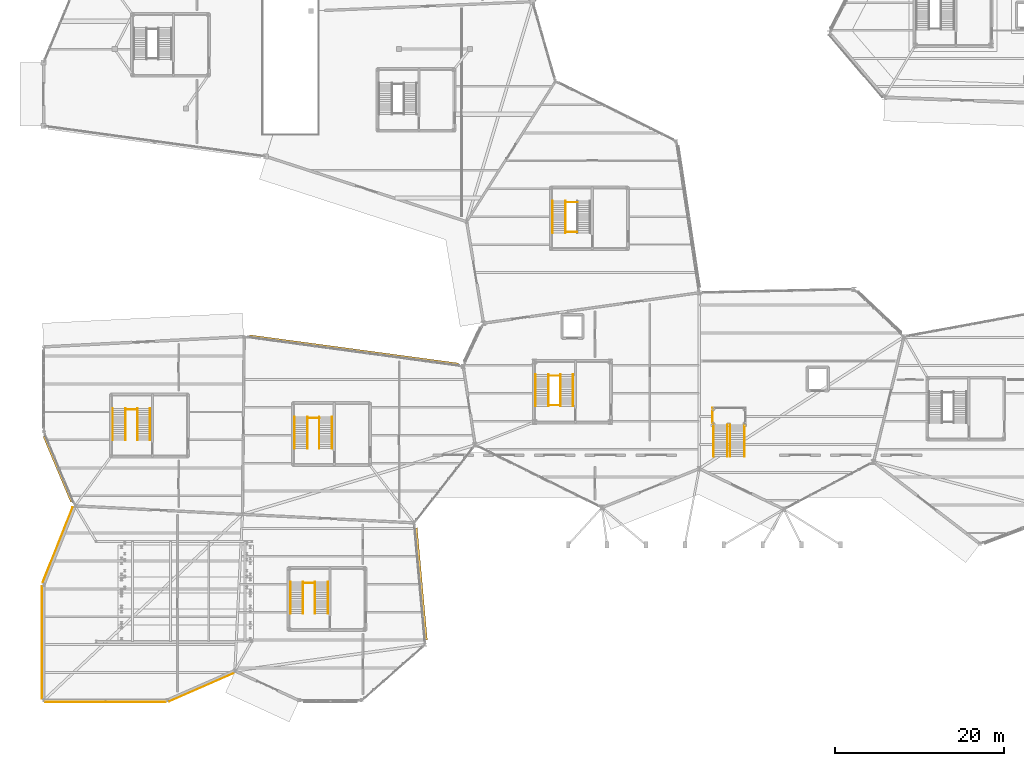
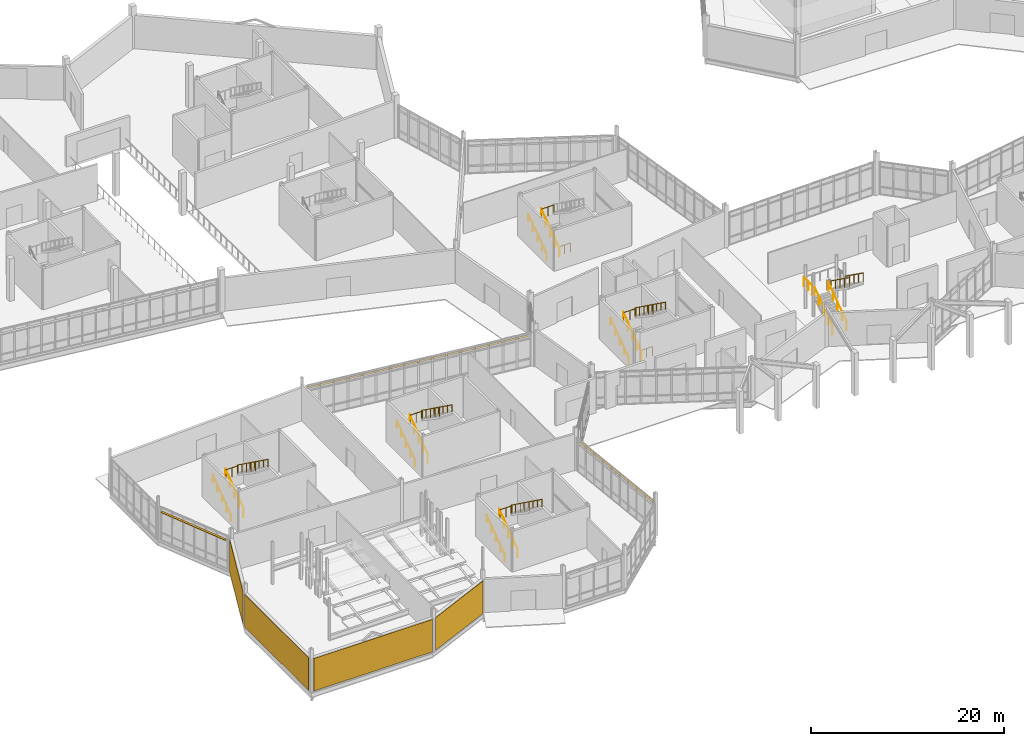
# One storey, part 109 of 113: 30 railings, 4 coverings, 3 shading devices.
"""IFC4 building model written with IfcOpenShell, lengths in metres."""

from ifc_helpers import new_model, si_unit, direction, frame, frame_2d, origin, origin_2d, place, context, subcontext, project, spatial, rectangle, circle, extrude, material, layer, layer_set, type_object, element, save


model = new_model("IFC4")

# Units and contexts
model_context = context("Model", 3, precision=1e-05, world=origin(), true_north=direction((0.0, 1.0)))
body_context = subcontext(model_context, "Body", "Model", "MODEL_VIEW")
ifc_project = project(units=[si_unit("LENGTHUNIT", "METRE"), si_unit("AREAUNIT", "SQUARE_METRE"), si_unit("VOLUMEUNIT", "CUBIC_METRE"), si_unit("PLANEANGLEUNIT", "RADIAN"), si_unit("MASSUNIT", "GRAM", prefix="KILO")], contexts=[model_context])

# Site, building, storey
site_placement = place(None, origin())
site = spatial("IfcSite", under=ifc_project, at=site_placement, CompositionType="ELEMENT")
building_placement = place(site_placement, origin())
building = spatial("IfcBuilding", under=site, at=building_placement, Name="Tameran Prism Museum", CompositionType="ELEMENT")
storey_placement = place(building_placement, origin())
storey = spatial("IfcBuildingStorey", under=building, at=storey_placement, Name="L00", CompositionType="ELEMENT", Elevation=0.0)

# Coverings
ifc_material_1 = material(Name="White Fluted Mineral Precast GRC", Category="concrete")
ifc_layer_1 = layer(ifc_material_1, 0.044921875)
ifc_layer_set_1 = layer_set([ifc_layer_1])
covering_type = type_object("IfcCoveringType", Name="CV-FLUTE-WHT", PredefinedType="CLADDING", material=ifc_layer_set_1)
covering_1_placement = place(storey_placement, frame((-0.118896484375, 13.94091796875, 0.050048828125), z_axis=(0.0, 0.0, 1.0), x_axis=(0.369669339646, 0.929163376014, 0.0)))
element("IfcCovering", 1, at=covering_1_placement, inside=storey, type_object=covering_type, Name="Vertical Fluted White Precast Panel CL-0004", PredefinedType="CLADDING", context=body_context, shape_type="SweptSolid", body=[
    extrude(rectangle(XDim=9.58935546875, YDim=0.044921875, at=frame_2d((4.794677734375, 0.0))), origin(), (0.0, 0.0, 1.0), 4.119873046875),
])
covering_2_placement = place(storey_placement, frame((-0.199951171875, 0.179931640625, 0.050048828125), z_axis=(0.0, 0.0, 1.0), x_axis=(0.0, 1.0, 0.0)))
element("IfcCovering", 2, at=covering_2_placement, inside=storey, type_object=covering_type, Name="Vertical Fluted White Precast Panel CL-0005", PredefinedType="CLADDING", context=body_context, shape_type="SweptSolid", body=[
    extrude(rectangle(XDim=13.340087890625, YDim=0.044921875, at=frame_2d((6.669921875, 0.0))), origin(), (0.0, 0.0, 1.0), 4.119873046875),
])
covering_3_placement = place(storey_placement, frame((14.419921875, -0.199951171875, 0.050048828125), z_axis=(0.0, 0.0, 1.0), x_axis=(-1.0, 0.0, 0.0)))
element("IfcCovering", 3, at=covering_3_placement, inside=storey, type_object=covering_type, Name="Vertical Fluted White Precast Panel CL-0006", PredefinedType="CLADDING", context=body_context, shape_type="SweptSolid", body=[
    extrude(rectangle(XDim=14.239990234375, YDim=0.044921875, at=frame_2d((7.1201171875, 0.0))), origin(), (0.0, 0.0, 1.0), 4.119873046875),
])
covering_4_placement = place(storey_placement, frame((22.4599609375, 3.220947265625, 0.050048828125), z_axis=(0.0, 0.0, 1.0), x_axis=(-0.916136436329, -0.400866598795, 0.0)))
element("IfcCovering", 4, at=covering_4_placement, inside=storey, type_object=covering_type, Name="Vertical Fluted White Precast Panel CL-0007", PredefinedType="CLADDING", context=body_context, shape_type="SweptSolid", body=[
    extrude(rectangle(XDim=8.31201171875, YDim=0.044921875, at=frame_2d((4.156005859375, 0.0))), origin(), (0.0, 0.0, 1.0), 4.119873046875),
])

# Railings
ifc_material_2 = material(Name="Laminated Glass and Stainless Steel 316", Category="steel")
ifc_layer_2 = layer(ifc_material_2, 0.06494140625)
ifc_layer_set_2 = layer_set([ifc_layer_2])
railing_type_1 = type_object("IfcRailingType", Name="RL-BAL-1150", PredefinedType="BALUSTRADE", material=ifc_layer_set_2)
for number, where, name in (
    (5, (79.159912109375, 28.820068359375, 0.0), "Atrium Stair Guardrail BL-107"),
    (6, (80.840087890625, 28.820068359375, 0.0), "Atrium Stair Guardrail BL-108"),
):
    element("IfcRailing", number, at=place(storey_placement, frame(where)), inside=storey, type_object=railing_type_1, Name=name, PredefinedType="BALUSTRADE", context=body_context, shape_type="SweptSolid", body=[
        extrude(circle(Radius=0.02392578125, at=origin_2d()), frame((0.0, 0.0, 1.1259765625), z_axis=(0.0, 0.813010693788, 0.582248754216), x_axis=(-1.0, 0.0, 0.0)), (0.0, 0.0, 1.0), 4.63720703125),
        extrude(circle(Radius=0.02099609375, at=origin_2d()), origin(), (0.0, 0.0, 1.0), 1.101806640625),
        extrude(circle(Radius=0.02099609375, at=origin_2d()), frame((0.0, 0.9423828125, 0.675048828125)), (0.0, 0.0, 1.0), 1.101806640625),
        extrude(circle(Radius=0.02099609375, at=origin_2d()), frame((0.0, 1.885009765625, 1.35009765625)), (0.0, 0.0, 1.0), 1.101806640625),
        extrude(circle(Radius=0.02099609375, at=origin_2d()), frame((0.0, 2.82763671875, 2.02490234375)), (0.0, 0.0, 1.0), 1.101806640625),
        extrude(circle(Radius=0.02099609375, at=origin_2d()), frame((0.0, 3.77001953125, 2.699951171875)), (0.0, 0.0, 1.0), 1.101806640625),
    ])
for number, where, name in (
    (7, (81.159912109375, 32.590087890625, 2.699951171875), "Atrium Stair Guardrail BL-109"),
    (8, (82.840087890625, 32.590087890625, 2.699951171875), "Atrium Stair Guardrail BL-110"),
):
    element("IfcRailing", number, at=place(storey_placement, frame(where)), inside=storey, type_object=railing_type_1, Name=name, PredefinedType="BALUSTRADE", context=body_context, shape_type="SweptSolid", body=[
        extrude(circle(Radius=0.02392578125, at=origin_2d()), frame((0.0, 0.0, 1.1259765625), z_axis=(0.0, -0.813010693788, 0.582248754216), x_axis=(1.0, 0.0, 0.0)), (0.0, 0.0, 1.0), 4.63720703125),
        extrude(circle(Radius=0.02099609375, at=origin_2d()), origin(), (0.0, 0.0, 1.0), 1.101806640625),
        extrude(circle(Radius=0.02099609375, at=origin_2d()), frame((0.0, -0.9423828125, 0.675048828125)), (0.0, 0.0, 1.0), 1.101806640625),
        extrude(circle(Radius=0.02099609375, at=origin_2d()), frame((0.0, -1.885009765625, 1.35009765625)), (0.0, 0.0, 1.0), 1.101806640625),
        extrude(circle(Radius=0.02099609375, at=origin_2d()), frame((0.0, -2.82763671875, 2.02490234375)), (0.0, 0.0, 1.0), 1.101806640625),
        extrude(circle(Radius=0.02099609375, at=origin_2d()), frame((0.0, -3.77001953125, 2.699951171875)), (0.0, 0.0, 1.0), 1.101806640625),
    ])
railing_1_placement = place(storey_placement, frame((79.06005859375, 32.77001953125, 2.699951171875)))
element("IfcRailing", 9, at=railing_1_placement, inside=storey, type_object=railing_type_1, Name="Atrium Landing Perimeter Guard BL-112", PredefinedType="BALUSTRADE", context=body_context, shape_type="SweptSolid", body=[
    extrude(circle(Radius=0.02392578125, at=origin_2d()), frame((0.0, 0.0, 1.1259765625), z_axis=(0.0, 1.0, 0.0), x_axis=(-1.0, 0.0, 0.0)), (0.0, 0.0, 1.0), 1.820068359375),
    extrude(circle(Radius=0.02099609375, at=origin_2d()), origin(), (0.0, 0.0, 1.0), 1.101806640625),
    extrude(circle(Radius=0.02099609375, at=origin_2d()), frame((0.0, 0.91015625, 0.0)), (0.0, 0.0, 1.0), 1.101806640625),
    extrude(circle(Radius=0.02099609375, at=origin_2d()), frame((0.0, 1.820068359375, 0.0)), (0.0, 0.0, 1.0), 1.101806640625),
])
ifc_material_3 = material(Name="Marine Stainless Steel 316", Category="steel")
ifc_layer_3 = layer(ifc_material_3, 0.054931640625)
ifc_layer_set_3 = layer_set([ifc_layer_3])
railing_type_2 = type_object("IfcRailingType", Name="RL-GR-1120", PredefinedType="GUARDRAIL", material=ifc_layer_set_3)
railing_2_placement = place(storey_placement, frame((59.68994140625, 34.89990234375, 0.0)))
element("IfcRailing", 10, at=railing_2_placement, inside=storey, type_object=railing_type_2, Name="Stair Well Slot Guard GR-S088", PredefinedType="GUARDRAIL", context=body_context, shape_type="SweptSolid", body=[
    extrude(circle(Radius=0.02392578125, at=origin_2d()), frame((0.0, 0.0, 1.1259765625), z_axis=(1.0, 0.0, 0.0), x_axis=(0.0, 1.0, 0.0)), (0.0, 0.0, 1.0), 1.3701171875),
    extrude(circle(Radius=0.02099609375, at=origin_2d()), origin(), (0.0, 0.0, 1.0), 1.101806640625),
    extrude(circle(Radius=0.02099609375, at=origin_2d()), frame((0.68505859375, 0.0, 0.0)), (0.0, 0.0, 1.0), 1.101806640625),
    extrude(circle(Radius=0.02099609375, at=origin_2d()), frame((1.3701171875, 0.0, 0.0)), (0.0, 0.0, 1.0), 1.101806640625),
])
railing_3_placement = place(storey_placement, frame((59.669921875, 34.780029296875, 0.0)))
element("IfcRailing", 11, at=railing_3_placement, inside=storey, type_object=railing_type_2, Name="Stair Well Guardrail GR-S089", PredefinedType="GUARDRAIL", context=body_context, shape_type="SweptSolid", body=[
    extrude(circle(Radius=0.02392578125, at=origin_2d()), frame((0.0, 0.0, 1.1259765625), z_axis=(0.0, 0.811539352079, 0.584297766578), x_axis=(-1.0, 0.0, 0.0)), (0.0, 0.0, 1.0), 4.620849609375),
    extrude(circle(Radius=0.02099609375, at=origin_2d()), origin(), (0.0, 0.0, 1.0), 1.101806640625),
    extrude(circle(Radius=0.02099609375, at=origin_2d()), frame((0.0, 0.9375, 0.675048828125)), (0.0, 0.0, 1.0), 1.101806640625),
    extrude(circle(Radius=0.02099609375, at=origin_2d()), frame((0.0, 1.875, 1.35009765625)), (0.0, 0.0, 1.0), 1.101806640625),
    extrude(circle(Radius=0.02099609375, at=origin_2d()), frame((0.0, 2.8125, 2.02490234375)), (0.0, 0.0, 1.0), 1.101806640625),
    extrude(circle(Radius=0.02099609375, at=origin_2d()), frame((0.0, 3.75, 2.699951171875)), (0.0, 0.0, 1.0), 1.101806640625),
])
railing_4_placement = place(storey_placement, frame((61.080078125, 38.530029296875, 2.699951171875)))
element("IfcRailing", 12, at=railing_4_placement, inside=storey, type_object=railing_type_2, Name="Stair Well Guardrail GR-S090", PredefinedType="GUARDRAIL", context=body_context, shape_type="SweptSolid", body=[
    extrude(circle(Radius=0.02392578125, at=origin_2d()), frame((0.0, 0.0, 1.1259765625), z_axis=(0.0, -0.811539352079, 0.584297766578), x_axis=(1.0, 0.0, 0.0)), (0.0, 0.0, 1.0), 4.620849609375),
    extrude(circle(Radius=0.02099609375, at=origin_2d()), origin(), (0.0, 0.0, 1.0), 1.101806640625),
    extrude(circle(Radius=0.02099609375, at=origin_2d()), frame((0.0, -0.9375, 0.675048828125)), (0.0, 0.0, 1.0), 1.101806640625),
    extrude(circle(Radius=0.02099609375, at=origin_2d()), frame((0.0, -1.875, 1.35009765625)), (0.0, 0.0, 1.0), 1.101806640625),
    extrude(circle(Radius=0.02099609375, at=origin_2d()), frame((0.0, -2.8125, 2.02490234375)), (0.0, 0.0, 1.0), 1.101806640625),
    extrude(circle(Radius=0.02099609375, at=origin_2d()), frame((0.0, -3.75, 2.699951171875)), (0.0, 0.0, 1.0), 1.101806640625),
])
railing_5_placement = place(storey_placement, frame((59.64990234375, 38.389892578125, 2.699951171875)))
element("IfcRailing", 13, at=railing_5_placement, inside=storey, type_object=railing_type_2, Name="Landing Well Guardrail GR-S091", PredefinedType="GUARDRAIL", context=body_context, shape_type="SweptSolid", body=[
    extrude(circle(Radius=0.02392578125, at=origin_2d()), frame((0.0, 0.0, 1.1259765625), z_axis=(1.0, 0.0, 0.0), x_axis=(0.0, 1.0, 0.0)), (0.0, 0.0, 1.0), 1.4501953125),
    extrude(circle(Radius=0.02099609375, at=origin_2d()), origin(), (0.0, 0.0, 1.0), 1.101806640625),
    extrude(circle(Radius=0.02099609375, at=origin_2d()), frame((0.72509765625, 0.0, 0.0)), (0.0, 0.0, 1.0), 1.101806640625),
    extrude(circle(Radius=0.02099609375, at=origin_2d()), frame((1.4501953125, 0.0, 0.0)), (0.0, 0.0, 1.0), 1.101806640625),
])
railing_6_placement = place(storey_placement, frame((61.68994140625, 55.39990234375, 0.0)))
element("IfcRailing", 14, at=railing_6_placement, inside=storey, type_object=railing_type_2, Name="Stair Well Slot Guard GR-S108", PredefinedType="GUARDRAIL", context=body_context, shape_type="SweptSolid", body=[
    extrude(circle(Radius=0.02392578125, at=origin_2d()), frame((0.0, 0.0, 1.1259765625), z_axis=(1.0, 0.0, 0.0), x_axis=(0.0, 1.0, 0.0)), (0.0, 0.0, 1.0), 1.3701171875),
    extrude(circle(Radius=0.02099609375, at=origin_2d()), origin(), (0.0, 0.0, 1.0), 1.101806640625),
    extrude(circle(Radius=0.02099609375, at=origin_2d()), frame((0.68505859375, 0.0, 0.0)), (0.0, 0.0, 1.0), 1.101806640625),
    extrude(circle(Radius=0.02099609375, at=origin_2d()), frame((1.3701171875, 0.0, 0.0)), (0.0, 0.0, 1.0), 1.101806640625),
])
railing_7_placement = place(storey_placement, frame((61.669921875, 55.280029296875, 0.0)))
element("IfcRailing", 15, at=railing_7_placement, inside=storey, type_object=railing_type_2, Name="Stair Well Guardrail GR-S109", PredefinedType="GUARDRAIL", context=body_context, shape_type="SweptSolid", body=[
    extrude(circle(Radius=0.02392578125, at=origin_2d()), frame((0.0, 0.0, 1.1259765625), z_axis=(0.0, 0.811539352079, 0.584297766578), x_axis=(-1.0, 0.0, 0.0)), (0.0, 0.0, 1.0), 4.620849609375),
    extrude(circle(Radius=0.02099609375, at=origin_2d()), origin(), (0.0, 0.0, 1.0), 1.101806640625),
    extrude(circle(Radius=0.02099609375, at=origin_2d()), frame((0.0, 0.9375, 0.675048828125)), (0.0, 0.0, 1.0), 1.101806640625),
    extrude(circle(Radius=0.02099609375, at=origin_2d()), frame((0.0, 1.875, 1.35009765625)), (0.0, 0.0, 1.0), 1.101806640625),
    extrude(circle(Radius=0.02099609375, at=origin_2d()), frame((0.0, 2.8125, 2.02490234375)), (0.0, 0.0, 1.0), 1.101806640625),
    extrude(circle(Radius=0.02099609375, at=origin_2d()), frame((0.0, 3.75, 2.699951171875)), (0.0, 0.0, 1.0), 1.101806640625),
])
railing_8_placement = place(storey_placement, frame((61.64990234375, 58.889892578125, 2.699951171875)))
element("IfcRailing", 16, at=railing_8_placement, inside=storey, type_object=railing_type_2, Name="Landing Well Guardrail GR-S111", PredefinedType="GUARDRAIL", context=body_context, shape_type="SweptSolid", body=[
    extrude(circle(Radius=0.02392578125, at=origin_2d()), frame((0.0, 0.0, 1.1259765625), z_axis=(1.0, 0.0, 0.0), x_axis=(0.0, 1.0, 0.0)), (0.0, 0.0, 1.0), 1.4501953125),
    extrude(circle(Radius=0.02099609375, at=origin_2d()), origin(), (0.0, 0.0, 1.0), 1.101806640625),
    extrude(circle(Radius=0.02099609375, at=origin_2d()), frame((0.72509765625, 0.0, 0.0)), (0.0, 0.0, 1.0), 1.101806640625),
    extrude(circle(Radius=0.02099609375, at=origin_2d()), frame((1.4501953125, 0.0, 0.0)), (0.0, 0.0, 1.0), 1.101806640625),
])
railing_9_placement = place(storey_placement, frame((30.669921875, 10.280029296875, 0.0)))
element("IfcRailing", 17, at=railing_9_placement, inside=storey, type_object=railing_type_2, Name="Stair Well Guardrail GR-S153", PredefinedType="GUARDRAIL", context=body_context, shape_type="SweptSolid", body=[
    extrude(circle(Radius=0.02392578125, at=origin_2d()), frame((0.0, 0.0, 1.1259765625), z_axis=(0.0, 0.811539352079, 0.584297766578), x_axis=(-1.0, 0.0, 0.0)), (0.0, 0.0, 1.0), 4.620849609375),
    extrude(circle(Radius=0.02099609375, at=origin_2d()), origin(), (0.0, 0.0, 1.0), 1.101806640625),
    extrude(circle(Radius=0.02099609375, at=origin_2d()), frame((0.0, 0.9375, 0.675048828125)), (0.0, 0.0, 1.0), 1.101806640625),
    extrude(circle(Radius=0.02099609375, at=origin_2d()), frame((0.0, 1.875, 1.35009765625)), (0.0, 0.0, 1.0), 1.101806640625),
    extrude(circle(Radius=0.02099609375, at=origin_2d()), frame((0.0, 2.8125, 2.02490234375)), (0.0, 0.0, 1.0), 1.101806640625),
    extrude(circle(Radius=0.02099609375, at=origin_2d()), frame((0.0, 3.75, 2.699951171875)), (0.0, 0.0, 1.0), 1.101806640625),
])
railing_10_placement = place(storey_placement, frame((32.080078125, 14.030029296875, 2.699951171875)))
element("IfcRailing", 18, at=railing_10_placement, inside=storey, type_object=railing_type_2, Name="Stair Well Guardrail GR-S154", PredefinedType="GUARDRAIL", context=body_context, shape_type="SweptSolid", body=[
    extrude(circle(Radius=0.02392578125, at=origin_2d()), frame((0.0, 0.0, 1.1259765625), z_axis=(0.0, -0.811539352079, 0.584297766578), x_axis=(1.0, 0.0, 0.0)), (0.0, 0.0, 1.0), 4.620849609375),
    extrude(circle(Radius=0.02099609375, at=origin_2d()), origin(), (0.0, 0.0, 1.0), 1.101806640625),
    extrude(circle(Radius=0.02099609375, at=origin_2d()), frame((0.0, -0.9375, 0.675048828125)), (0.0, 0.0, 1.0), 1.101806640625),
    extrude(circle(Radius=0.02099609375, at=origin_2d()), frame((0.0, -1.875, 1.35009765625)), (0.0, 0.0, 1.0), 1.101806640625),
    extrude(circle(Radius=0.02099609375, at=origin_2d()), frame((0.0, -2.8125, 2.02490234375)), (0.0, 0.0, 1.0), 1.101806640625),
    extrude(circle(Radius=0.02099609375, at=origin_2d()), frame((0.0, -3.75, 2.699951171875)), (0.0, 0.0, 1.0), 1.101806640625),
])
railing_11_placement = place(storey_placement, frame((30.64990234375, 13.889892578125, 2.699951171875)))
element("IfcRailing", 19, at=railing_11_placement, inside=storey, type_object=railing_type_2, Name="Landing Well Guardrail GR-S155", PredefinedType="GUARDRAIL", context=body_context, shape_type="SweptSolid", body=[
    extrude(circle(Radius=0.02392578125, at=origin_2d()), frame((0.0, 0.0, 1.1259765625), z_axis=(1.0, 0.0, 0.0), x_axis=(0.0, 1.0, 0.0)), (0.0, 0.0, 1.0), 1.4501953125),
    extrude(circle(Radius=0.02099609375, at=origin_2d()), origin(), (0.0, 0.0, 1.0), 1.101806640625),
    extrude(circle(Radius=0.02099609375, at=origin_2d()), frame((0.72509765625, 0.0, 0.0)), (0.0, 0.0, 1.0), 1.101806640625),
    extrude(circle(Radius=0.02099609375, at=origin_2d()), frame((1.4501953125, 0.0, 0.0)), (0.0, 0.0, 1.0), 1.101806640625),
])
railing_12_placement = place(storey_placement, frame((9.669921875, 30.780029296875, 0.0)))
element("IfcRailing", 20, at=railing_12_placement, inside=storey, type_object=railing_type_2, Name="Stair Well Guardrail GR-S173", PredefinedType="GUARDRAIL", context=body_context, shape_type="SweptSolid", body=[
    extrude(circle(Radius=0.02392578125, at=origin_2d()), frame((0.0, 0.0, 1.1259765625), z_axis=(0.0, 0.811539352079, 0.584297766578), x_axis=(-1.0, 0.0, 0.0)), (0.0, 0.0, 1.0), 4.620849609375),
    extrude(circle(Radius=0.02099609375, at=origin_2d()), origin(), (0.0, 0.0, 1.0), 1.101806640625),
    extrude(circle(Radius=0.02099609375, at=origin_2d()), frame((0.0, 0.9375, 0.675048828125)), (0.0, 0.0, 1.0), 1.101806640625),
    extrude(circle(Radius=0.02099609375, at=origin_2d()), frame((0.0, 1.875, 1.35009765625)), (0.0, 0.0, 1.0), 1.101806640625),
    extrude(circle(Radius=0.02099609375, at=origin_2d()), frame((0.0, 2.8125, 2.02490234375)), (0.0, 0.0, 1.0), 1.101806640625),
    extrude(circle(Radius=0.02099609375, at=origin_2d()), frame((0.0, 3.75, 2.699951171875)), (0.0, 0.0, 1.0), 1.101806640625),
])
railing_13_placement = place(storey_placement, frame((11.080078125, 34.530029296875, 2.699951171875)))
element("IfcRailing", 21, at=railing_13_placement, inside=storey, type_object=railing_type_2, Name="Stair Well Guardrail GR-S174", PredefinedType="GUARDRAIL", context=body_context, shape_type="SweptSolid", body=[
    extrude(circle(Radius=0.02392578125, at=origin_2d()), frame((0.0, 0.0, 1.1259765625), z_axis=(0.0, -0.811539352079, 0.584297766578), x_axis=(1.0, 0.0, 0.0)), (0.0, 0.0, 1.0), 4.620849609375),
    extrude(circle(Radius=0.02099609375, at=origin_2d()), origin(), (0.0, 0.0, 1.0), 1.101806640625),
    extrude(circle(Radius=0.02099609375, at=origin_2d()), frame((0.0, -0.9375, 0.675048828125)), (0.0, 0.0, 1.0), 1.101806640625),
    extrude(circle(Radius=0.02099609375, at=origin_2d()), frame((0.0, -1.875, 1.35009765625)), (0.0, 0.0, 1.0), 1.101806640625),
    extrude(circle(Radius=0.02099609375, at=origin_2d()), frame((0.0, -2.8125, 2.02490234375)), (0.0, 0.0, 1.0), 1.101806640625),
    extrude(circle(Radius=0.02099609375, at=origin_2d()), frame((0.0, -3.75, 2.699951171875)), (0.0, 0.0, 1.0), 1.101806640625),
])
railing_14_placement = place(storey_placement, frame((9.64990234375, 34.389892578125, 2.699951171875)))
element("IfcRailing", 22, at=railing_14_placement, inside=storey, type_object=railing_type_2, Name="Landing Well Guardrail GR-S175", PredefinedType="GUARDRAIL", context=body_context, shape_type="SweptSolid", body=[
    extrude(circle(Radius=0.02392578125, at=origin_2d()), frame((0.0, 0.0, 1.1259765625), z_axis=(1.0, 0.0, 0.0), x_axis=(0.0, 1.0, 0.0)), (0.0, 0.0, 1.0), 1.4501953125),
    extrude(circle(Radius=0.02099609375, at=origin_2d()), origin(), (0.0, 0.0, 1.0), 1.101806640625),
    extrude(circle(Radius=0.02099609375, at=origin_2d()), frame((0.72509765625, 0.0, 0.0)), (0.0, 0.0, 1.0), 1.101806640625),
    extrude(circle(Radius=0.02099609375, at=origin_2d()), frame((1.4501953125, 0.0, 0.0)), (0.0, 0.0, 1.0), 1.101806640625),
])
railing_15_placement = place(storey_placement, frame((31.169921875, 29.780029296875, 0.0)))
element("IfcRailing", 23, at=railing_15_placement, inside=storey, type_object=railing_type_2, Name="Stair Well Guardrail GR-S185", PredefinedType="GUARDRAIL", context=body_context, shape_type="SweptSolid", body=[
    extrude(circle(Radius=0.02392578125, at=origin_2d()), frame((0.0, 0.0, 1.1259765625), z_axis=(0.0, 0.811539352079, 0.584297766578), x_axis=(-1.0, 0.0, 0.0)), (0.0, 0.0, 1.0), 4.620849609375),
    extrude(circle(Radius=0.02099609375, at=origin_2d()), origin(), (0.0, 0.0, 1.0), 1.101806640625),
    extrude(circle(Radius=0.02099609375, at=origin_2d()), frame((0.0, 0.9375, 0.675048828125)), (0.0, 0.0, 1.0), 1.101806640625),
    extrude(circle(Radius=0.02099609375, at=origin_2d()), frame((0.0, 1.875, 1.35009765625)), (0.0, 0.0, 1.0), 1.101806640625),
    extrude(circle(Radius=0.02099609375, at=origin_2d()), frame((0.0, 2.8125, 2.02490234375)), (0.0, 0.0, 1.0), 1.101806640625),
    extrude(circle(Radius=0.02099609375, at=origin_2d()), frame((0.0, 3.75, 2.699951171875)), (0.0, 0.0, 1.0), 1.101806640625),
])
railing_16_placement = place(storey_placement, frame((32.580078125, 33.530029296875, 2.699951171875)))
element("IfcRailing", 24, at=railing_16_placement, inside=storey, type_object=railing_type_2, Name="Stair Well Guardrail GR-S186", PredefinedType="GUARDRAIL", context=body_context, shape_type="SweptSolid", body=[
    extrude(circle(Radius=0.02392578125, at=origin_2d()), frame((0.0, 0.0, 1.1259765625), z_axis=(0.0, -0.811539352079, 0.584297766578), x_axis=(1.0, 0.0, 0.0)), (0.0, 0.0, 1.0), 4.620849609375),
    extrude(circle(Radius=0.02099609375, at=origin_2d()), origin(), (0.0, 0.0, 1.0), 1.101806640625),
    extrude(circle(Radius=0.02099609375, at=origin_2d()), frame((0.0, -0.9375, 0.675048828125)), (0.0, 0.0, 1.0), 1.101806640625),
    extrude(circle(Radius=0.02099609375, at=origin_2d()), frame((0.0, -1.875, 1.35009765625)), (0.0, 0.0, 1.0), 1.101806640625),
    extrude(circle(Radius=0.02099609375, at=origin_2d()), frame((0.0, -2.8125, 2.02490234375)), (0.0, 0.0, 1.0), 1.101806640625),
    extrude(circle(Radius=0.02099609375, at=origin_2d()), frame((0.0, -3.75, 2.699951171875)), (0.0, 0.0, 1.0), 1.101806640625),
])
railing_17_placement = place(storey_placement, frame((31.14990234375, 33.389892578125, 2.699951171875)))
element("IfcRailing", 25, at=railing_17_placement, inside=storey, type_object=railing_type_2, Name="Landing Well Guardrail GR-S187", PredefinedType="GUARDRAIL", context=body_context, shape_type="SweptSolid", body=[
    extrude(circle(Radius=0.02392578125, at=origin_2d()), frame((0.0, 0.0, 1.1259765625), z_axis=(1.0, 0.0, 0.0), x_axis=(0.0, 1.0, 0.0)), (0.0, 0.0, 1.0), 1.4501953125),
    extrude(circle(Radius=0.02099609375, at=origin_2d()), origin(), (0.0, 0.0, 1.0), 1.101806640625),
    extrude(circle(Radius=0.02099609375, at=origin_2d()), frame((0.72509765625, 0.0, 0.0)), (0.0, 0.0, 1.0), 1.101806640625),
    extrude(circle(Radius=0.02099609375, at=origin_2d()), frame((1.4501953125, 0.0, 0.0)), (0.0, 0.0, 1.0), 1.101806640625),
])
ifc_material_4 = material(Name="Brushed Stainless Steel 316", Category="steel")
ifc_layer_4 = layer(ifc_material_4, 0.048095703125)
ifc_layer_set_4 = layer_set([ifc_layer_4])
railing_type_3 = type_object("IfcRailingType", Name="RL-HR-920", PredefinedType="HANDRAIL", material=ifc_layer_set_4)
railing_18_placement = place(storey_placement, frame((58.159912109375, 34.780029296875, 0.0)))
element("IfcRailing", 26, at=railing_18_placement, inside=storey, type_object=railing_type_3, Name="Stair Flight Handrail HR-045", PredefinedType="HANDRAIL", context=body_context, shape_type="SweptSolid", body=[
    extrude(circle(Radius=0.02392578125, at=origin_2d()), frame((0.0, 0.0, 0.89599609375), z_axis=(0.0, 0.811539352079, 0.584297766578), x_axis=(-1.0, 0.0, 0.0)), (0.0, 0.0, 1.0), 4.620849609375),
    extrude(circle(Radius=0.02099609375, at=origin_2d()), origin(), (0.0, 0.0, 1.0), 0.871826171875),
    extrude(circle(Radius=0.02099609375, at=origin_2d()), frame((0.0, 0.9375, 0.675048828125)), (0.0, 0.0, 1.0), 0.871826171875),
    extrude(circle(Radius=0.02099609375, at=origin_2d()), frame((0.0, 1.875, 1.35009765625)), (0.0, 0.0, 1.0), 0.871826171875),
    extrude(circle(Radius=0.02099609375, at=origin_2d()), frame((0.0, 2.8125, 2.02490234375)), (0.0, 0.0, 1.0), 0.871826171875),
    extrude(circle(Radius=0.02099609375, at=origin_2d()), frame((0.0, 3.75, 2.699951171875)), (0.0, 0.0, 1.0), 0.871826171875),
])
railing_19_placement = place(storey_placement, frame((62.590087890625, 38.530029296875, 2.699951171875)))
element("IfcRailing", 27, at=railing_19_placement, inside=storey, type_object=railing_type_3, Name="Stair Flight Handrail HR-046", PredefinedType="HANDRAIL", context=body_context, shape_type="SweptSolid", body=[
    extrude(circle(Radius=0.02392578125, at=origin_2d()), frame((0.0, 0.0, 0.89599609375), z_axis=(0.0, -0.811539352079, 0.584297766578), x_axis=(1.0, 0.0, 0.0)), (0.0, 0.0, 1.0), 4.620849609375),
    extrude(circle(Radius=0.02099609375, at=origin_2d()), origin(), (0.0, 0.0, 1.0), 0.871826171875),
    extrude(circle(Radius=0.02099609375, at=origin_2d()), frame((0.0, -0.9375, 0.675048828125)), (0.0, 0.0, 1.0), 0.871826171875),
    extrude(circle(Radius=0.02099609375, at=origin_2d()), frame((0.0, -1.875, 1.35009765625)), (0.0, 0.0, 1.0), 0.871826171875),
    extrude(circle(Radius=0.02099609375, at=origin_2d()), frame((0.0, -2.8125, 2.02490234375)), (0.0, 0.0, 1.0), 0.871826171875),
    extrude(circle(Radius=0.02099609375, at=origin_2d()), frame((0.0, -3.75, 2.699951171875)), (0.0, 0.0, 1.0), 0.871826171875),
])
for number, where, name in (
    (28, (60.159912109375, 55.280029296875, 0.0), "Stair Flight Handrail HR-055"),
    (29, (29.159912109375, 10.280029296875, 0.0), "Stair Flight Handrail HR-077"),
):
    element("IfcRailing", number, at=place(storey_placement, frame(where)), inside=storey, type_object=railing_type_3, Name=name, PredefinedType="HANDRAIL", context=body_context, shape_type="SweptSolid", body=[
        extrude(circle(Radius=0.02392578125, at=origin_2d()), frame((0.0, 0.0, 0.89599609375), z_axis=(0.0, 0.811539352079, 0.584297766578), x_axis=(-1.0, 0.0, 0.0)), (0.0, 0.0, 1.0), 4.620849609375),
        extrude(circle(Radius=0.02099609375, at=origin_2d()), origin(), (0.0, 0.0, 1.0), 0.871826171875),
        extrude(circle(Radius=0.02099609375, at=origin_2d()), frame((0.0, 0.9375, 0.675048828125)), (0.0, 0.0, 1.0), 0.871826171875),
        extrude(circle(Radius=0.02099609375, at=origin_2d()), frame((0.0, 1.875, 1.35009765625)), (0.0, 0.0, 1.0), 0.871826171875),
        extrude(circle(Radius=0.02099609375, at=origin_2d()), frame((0.0, 2.8125, 2.02490234375)), (0.0, 0.0, 1.0), 0.871826171875),
        extrude(circle(Radius=0.02099609375, at=origin_2d()), frame((0.0, 3.75, 2.699951171875)), (0.0, 0.0, 1.0), 0.871826171875),
    ])
railing_20_placement = place(storey_placement, frame((33.590087890625, 14.030029296875, 2.699951171875)))
element("IfcRailing", 30, at=railing_20_placement, inside=storey, type_object=railing_type_3, Name="Stair Flight Handrail HR-078", PredefinedType="HANDRAIL", context=body_context, shape_type="SweptSolid", body=[
    extrude(circle(Radius=0.02392578125, at=origin_2d()), frame((0.0, 0.0, 0.89599609375), z_axis=(0.0, -0.811539352079, 0.584297766578), x_axis=(1.0, 0.0, 0.0)), (0.0, 0.0, 1.0), 4.620849609375),
    extrude(circle(Radius=0.02099609375, at=origin_2d()), origin(), (0.0, 0.0, 1.0), 0.871826171875),
    extrude(circle(Radius=0.02099609375, at=origin_2d()), frame((0.0, -0.9375, 0.675048828125)), (0.0, 0.0, 1.0), 0.871826171875),
    extrude(circle(Radius=0.02099609375, at=origin_2d()), frame((0.0, -1.875, 1.35009765625)), (0.0, 0.0, 1.0), 0.871826171875),
    extrude(circle(Radius=0.02099609375, at=origin_2d()), frame((0.0, -2.8125, 2.02490234375)), (0.0, 0.0, 1.0), 0.871826171875),
    extrude(circle(Radius=0.02099609375, at=origin_2d()), frame((0.0, -3.75, 2.699951171875)), (0.0, 0.0, 1.0), 0.871826171875),
])
railing_21_placement = place(storey_placement, frame((8.159912109375, 30.780029296875, 0.0)))
element("IfcRailing", 31, at=railing_21_placement, inside=storey, type_object=railing_type_3, Name="Stair Flight Handrail HR-087", PredefinedType="HANDRAIL", context=body_context, shape_type="SweptSolid", body=[
    extrude(circle(Radius=0.02392578125, at=origin_2d()), frame((0.0, 0.0, 0.89599609375), z_axis=(0.0, 0.811539352079, 0.584297766578), x_axis=(-1.0, 0.0, 0.0)), (0.0, 0.0, 1.0), 4.620849609375),
    extrude(circle(Radius=0.02099609375, at=origin_2d()), origin(), (0.0, 0.0, 1.0), 0.871826171875),
    extrude(circle(Radius=0.02099609375, at=origin_2d()), frame((0.0, 0.9375, 0.675048828125)), (0.0, 0.0, 1.0), 0.871826171875),
    extrude(circle(Radius=0.02099609375, at=origin_2d()), frame((0.0, 1.875, 1.35009765625)), (0.0, 0.0, 1.0), 0.871826171875),
    extrude(circle(Radius=0.02099609375, at=origin_2d()), frame((0.0, 2.8125, 2.02490234375)), (0.0, 0.0, 1.0), 0.871826171875),
    extrude(circle(Radius=0.02099609375, at=origin_2d()), frame((0.0, 3.75, 2.699951171875)), (0.0, 0.0, 1.0), 0.871826171875),
])
railing_22_placement = place(storey_placement, frame((12.590087890625, 34.530029296875, 2.699951171875)))
element("IfcRailing", 32, at=railing_22_placement, inside=storey, type_object=railing_type_3, Name="Stair Flight Handrail HR-088", PredefinedType="HANDRAIL", context=body_context, shape_type="SweptSolid", body=[
    extrude(circle(Radius=0.02392578125, at=origin_2d()), frame((0.0, 0.0, 0.89599609375), z_axis=(0.0, -0.811539352079, 0.584297766578), x_axis=(1.0, 0.0, 0.0)), (0.0, 0.0, 1.0), 4.620849609375),
    extrude(circle(Radius=0.02099609375, at=origin_2d()), origin(), (0.0, 0.0, 1.0), 0.871826171875),
    extrude(circle(Radius=0.02099609375, at=origin_2d()), frame((0.0, -0.9375, 0.675048828125)), (0.0, 0.0, 1.0), 0.871826171875),
    extrude(circle(Radius=0.02099609375, at=origin_2d()), frame((0.0, -1.875, 1.35009765625)), (0.0, 0.0, 1.0), 0.871826171875),
    extrude(circle(Radius=0.02099609375, at=origin_2d()), frame((0.0, -2.8125, 2.02490234375)), (0.0, 0.0, 1.0), 0.871826171875),
    extrude(circle(Radius=0.02099609375, at=origin_2d()), frame((0.0, -3.75, 2.699951171875)), (0.0, 0.0, 1.0), 0.871826171875),
])
railing_23_placement = place(storey_placement, frame((29.659912109375, 29.780029296875, 0.0)))
element("IfcRailing", 33, at=railing_23_placement, inside=storey, type_object=railing_type_3, Name="Stair Flight Handrail HR-093", PredefinedType="HANDRAIL", context=body_context, shape_type="SweptSolid", body=[
    extrude(circle(Radius=0.02392578125, at=origin_2d()), frame((0.0, 0.0, 0.89599609375), z_axis=(0.0, 0.811539352079, 0.584297766578), x_axis=(-1.0, 0.0, 0.0)), (0.0, 0.0, 1.0), 4.620849609375),
    extrude(circle(Radius=0.02099609375, at=origin_2d()), origin(), (0.0, 0.0, 1.0), 0.871826171875),
    extrude(circle(Radius=0.02099609375, at=origin_2d()), frame((0.0, 0.9375, 0.675048828125)), (0.0, 0.0, 1.0), 0.871826171875),
    extrude(circle(Radius=0.02099609375, at=origin_2d()), frame((0.0, 1.875, 1.35009765625)), (0.0, 0.0, 1.0), 0.871826171875),
    extrude(circle(Radius=0.02099609375, at=origin_2d()), frame((0.0, 2.8125, 2.02490234375)), (0.0, 0.0, 1.0), 0.871826171875),
    extrude(circle(Radius=0.02099609375, at=origin_2d()), frame((0.0, 3.75, 2.699951171875)), (0.0, 0.0, 1.0), 0.871826171875),
])
railing_24_placement = place(storey_placement, frame((34.090087890625, 33.530029296875, 2.699951171875)))
element("IfcRailing", 34, at=railing_24_placement, inside=storey, type_object=railing_type_3, Name="Stair Flight Handrail HR-094", PredefinedType="HANDRAIL", context=body_context, shape_type="SweptSolid", body=[
    extrude(circle(Radius=0.02392578125, at=origin_2d()), frame((0.0, 0.0, 0.89599609375), z_axis=(0.0, -0.811539352079, 0.584297766578), x_axis=(1.0, 0.0, 0.0)), (0.0, 0.0, 1.0), 4.620849609375),
    extrude(circle(Radius=0.02099609375, at=origin_2d()), origin(), (0.0, 0.0, 1.0), 0.871826171875),
    extrude(circle(Radius=0.02099609375, at=origin_2d()), frame((0.0, -0.9375, 0.675048828125)), (0.0, 0.0, 1.0), 0.871826171875),
    extrude(circle(Radius=0.02099609375, at=origin_2d()), frame((0.0, -1.875, 1.35009765625)), (0.0, 0.0, 1.0), 0.871826171875),
    extrude(circle(Radius=0.02099609375, at=origin_2d()), frame((0.0, -2.8125, 2.02490234375)), (0.0, 0.0, 1.0), 0.871826171875),
    extrude(circle(Radius=0.02099609375, at=origin_2d()), frame((0.0, -3.75, 2.699951171875)), (0.0, 0.0, 1.0), 0.871826171875),
])

# Shading devices
ifc_material_5 = material(Name="Anodised Aluminium Alloy 6063-T6", Category="aluminium")
ifc_layer_5 = layer(ifc_material_5, 0.044921875)
ifc_layer_set_5 = layer_set([ifc_layer_5])
shading_device_type_1 = type_object("IfcShadingDeviceType", Name="SH-JAL-240", PredefinedType="JALOUSIE", material=ifc_layer_set_5)
shading_device_1_placement = place(storey_placement, frame((1.673095703125, 27.35791015625, 3.739990234375), z_axis=(0.0, 0.0, 1.0), x_axis=(-0.387676476022, 0.921795503319, 0.0)))
element("IfcShadingDevice", 35, at=shading_device_1_placement, inside=storey, type_object=shading_device_type_1, Name="Monsoon Storm Louvre SLV-014", PredefinedType="JALOUSIE", context=body_context, shape_type="SweptSolid", body=[
    extrude(rectangle(XDim=8.386962890625, YDim=0.260009765625, at=origin_2d()), origin(), (0.0, 0.0, 1.0), 0.06005859375),
])
ifc_material_6 = material(Name="Anodised Aluminium Alloy 6063-T6", Category="aluminium")
ifc_layer_6 = layer(ifc_material_6, 0.050048828125)
ifc_layer_set_6 = layer_set([ifc_layer_6])
shading_device_type_2 = type_object("IfcShadingDeviceType", Name="SH-LOUV-300", PredefinedType="SHUTTER", material=ifc_layer_set_6)
shading_device_2_placement = place(storey_placement, frame((44.632080078125, 13.785888671875, 3.739990234375), z_axis=(0.0, 0.0, 1.0), x_axis=(0.089937299699, -0.995947429397, 0.0)))
element("IfcShadingDevice", 36, at=shading_device_2_placement, inside=storey, type_object=shading_device_type_2, Name="Monsoon Storm Louvre SLV-013", PredefinedType="SHUTTER", context=body_context, shape_type="SweptSolid", body=[
    extrude(rectangle(XDim=13.298095703125, YDim=0.260009765625, at=origin_2d()), origin(), (0.0, 0.0, 1.0), 0.06005859375),
])
shading_device_3_placement = place(storey_placement, frame((36.675048828125, 41.427978515625, 3.739990234375), z_axis=(0.0, 0.0, 1.0), x_axis=(0.990983199715, -0.133986185418, 0.0)))
element("IfcShadingDevice", 37, at=shading_device_3_placement, inside=storey, type_object=shading_device_type_2, Name="Monsoon Storm Louvre SLV-015", PredefinedType="SHUTTER", context=body_context, shape_type="SweptSolid", body=[
    extrude(rectangle(XDim=24.9150390625, YDim=0.260009765625, at=origin_2d()), origin(), (0.0, 0.0, 1.0), 0.06005859375),
])

save(model, "model.ifc")
